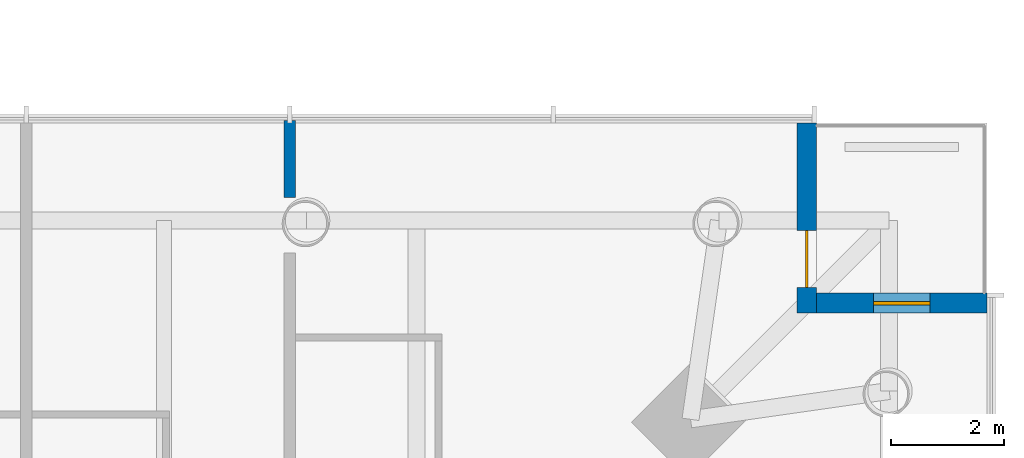
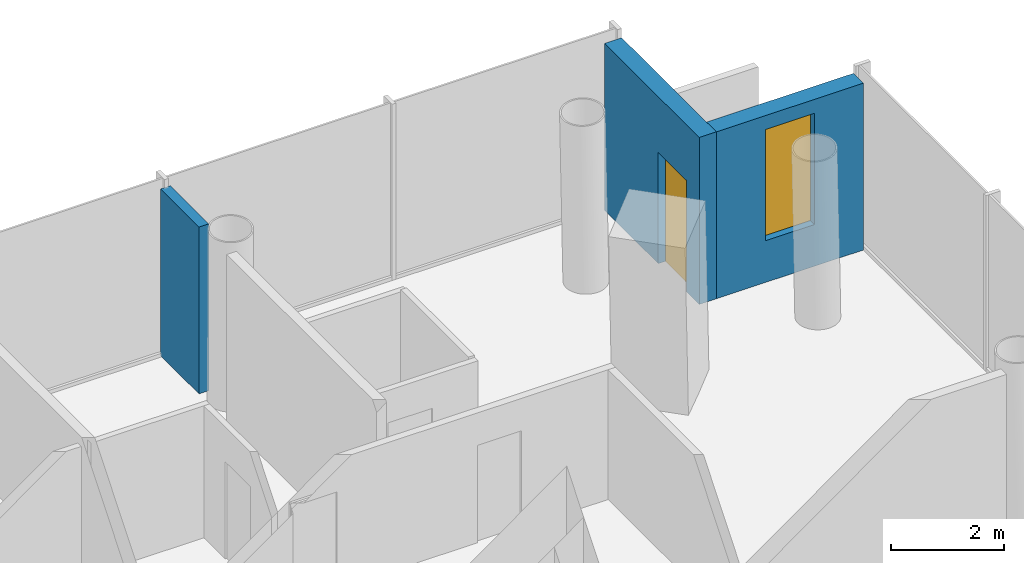
# One storey, part 15 of 18: 3 walls, 1 door, 1 window, 2 openings.
"""IFC4 building model written with IfcOpenShell, lengths in metres."""

from ifc_helpers import new_model, si_unit, direction, frame, frame_2d, origin, place, context, subcontext, project, spatial, rectangle, extrude, material, layer, layer_set, type_object, element, fill, save


model = new_model("IFC4")

# Units and contexts
model_context = context("Model", 3, precision=1e-05, world=origin(), true_north=direction((0.0, 1.0)))
body_context = subcontext(model_context, "Body", "Model", "MODEL_VIEW")
ifc_project = project(units=[si_unit("LENGTHUNIT", "METRE"), si_unit("AREAUNIT", "SQUARE_METRE"), si_unit("VOLUMEUNIT", "CUBIC_METRE"), si_unit("PLANEANGLEUNIT", "RADIAN"), si_unit("MASSUNIT", "GRAM", prefix="KILO")], contexts=[model_context])

# Site, building, storey
site_placement = place(None, origin())
site = spatial("IfcSite", under=ifc_project, at=site_placement, CompositionType="ELEMENT")
building_placement = place(site_placement, origin())
building = spatial("IfcBuilding", under=site, at=building_placement, Name="Ostroluk Exchange", CompositionType="ELEMENT")
storey_placement = place(building_placement, frame((0.0, 0.0, 55.199951171875)))
storey = spatial("IfcBuildingStorey", under=building, at=storey_placement, Name="L13", CompositionType="ELEMENT", Elevation=55.199951171875)

# Wall, opening, door
ifc_material_1 = material(Name="Limestone", Category="masonry")
ifc_layer_1 = layer(ifc_material_1, 0.35009765625)
ifc_layer_set_1 = layer_set([ifc_layer_1], Name="Limestone facade wall 350")
wall_type_1 = type_object("IfcWallType", Name="Limestone facade wall 350", PredefinedType="SOLIDWALL", material=ifc_layer_set_1)
wall_1_placement = place(storey_placement, frame((133.074951171875, 65.25, 0.0), z_axis=(0.0, 0.0, 1.0), x_axis=(0.0, -1.0, 0.0)))
wall_1 = element("IfcWall", 1, at=wall_1_placement, inside=storey, type_object=wall_type_1, Name="Hotel tower NE corner wall L13 a", PredefinedType="SOLIDWALL", context=body_context, shape_type="SweptSolid", body=[
    extrude(rectangle(XDim=3.35009765625, YDim=0.35009765625, at=frame_2d((1.675048828125, 0.0))), origin(), (0.0, 0.0, 1.0), 3.60009765625),
])
opening_1_placement = place(wall_1_placement, frame((1.89990234375, 0.0, 0.0)))
opening_1 = element("IfcOpeningElement", 2, at=opening_1_placement, cuts=wall_1, Name="Opening D-B1", PredefinedType="OPENING", context=body_context, shape_type="SweptSolid", body=[
    extrude(rectangle(XDim=1.0, YDim=2.39990234375, at=frame_2d((0.5, 1.199951171875))), frame((0.0, 0.18505859375, 0.0), z_axis=(0.0, -1.0, 0.0), x_axis=(1.0, 0.0, 0.0)), (0.0, 0.0, 1.0), 0.3701171875),
])
ifc_material_2 = material(Name="Bronze framed glazed door", Category="aluminium")
door_type = type_object("IfcDoorType", Name="Balcony door 1000 x 2400", OperationType="SINGLE_SWING_LEFT", PredefinedType="DOOR", material=ifc_material_2)
door_placement = place(opening_1_placement, origin())
door = element("IfcDoor", 3, at=door_placement, inside=storey, type_object=door_type, Name="Hotel tower NE balcony door L13", OperationType="SINGLE_SWING_RIGHT", OverallHeight=2.39990234375, OverallWidth=1.0, PredefinedType="DOOR", context=body_context, shape_type="SweptSolid", body=[
    extrude(rectangle(XDim=1.0, YDim=2.39990234375, at=frame_2d((0.5, 1.199951171875))), frame((0.0, 0.02490234375, 0.0), z_axis=(0.0, -1.0, 0.0), x_axis=(1.0, 0.0, 0.0)), (0.0, 0.0, 1.0), 0.050048828125),
])
fill(opening_1, door)

# Wall, opening, window
wall_2_placement = place(storey_placement, frame((133.25, 62.074951171875, 0.0), z_axis=(0.0, 0.0, 1.0), x_axis=(1.0, 0.0, 0.0)))
wall_2 = element("IfcWall", 4, at=wall_2_placement, inside=storey, type_object=wall_type_1, Name="Hotel tower NE corner wall L13 b", PredefinedType="SOLIDWALL", context=body_context, shape_type="SweptSolid", body=[
    extrude(rectangle(XDim=3.0, YDim=0.35009765625, at=frame_2d((1.5, 0.0))), origin(), (0.0, 0.0, 1.0), 3.60009765625),
])
opening_2_placement = place(wall_2_placement, frame((1.0, 0.0, 0.89990234375)))
opening_2 = element("IfcOpeningElement", 5, at=opening_2_placement, cuts=wall_2, Name="Opening WN-L3", PredefinedType="OPENING", context=body_context, shape_type="SweptSolid", body=[
    extrude(rectangle(XDim=1.0, YDim=2.39990234375, at=frame_2d((0.5, 1.199951171875))), frame((0.0, 0.18505859375, 0.0), z_axis=(0.0, -1.0, 0.0), x_axis=(1.0, 0.0, 0.0)), (0.0, 0.0, 1.0), 0.3701171875),
])
ifc_material_3 = material(Name="Laminated clear glass", Category="glass")
window_type = type_object("IfcWindowType", Name="Hotel lancet window 1000 x 2400", PartitioningType="SINGLE_PANEL", PredefinedType="WINDOW", material=ifc_material_3)
window_placement = place(opening_2_placement, origin())
window = element("IfcWindow", 6, at=window_placement, inside=storey, type_object=window_type, Name="Hotel tower NE lancet window L13", OverallHeight=2.39990234375, OverallWidth=1.0, PartitioningType="SINGLE_PANEL", PredefinedType="WINDOW", context=body_context, shape_type="SweptSolid", body=[
    extrude(rectangle(XDim=1.0, YDim=2.39990234375, at=frame_2d((0.5, 1.199951171875))), frame((0.0, 0.030029296875, 0.0), z_axis=(0.0, -1.0, 0.0), x_axis=(1.0, 0.0, 0.0)), (0.0, 0.0, 1.0), 0.06005859375),
])
fill(opening_2, window)

# Wall
ifc_material_4 = material(Name="Gypsum plasterboard partition", Category="gypsum")
ifc_layer_2 = layer(ifc_material_4, 0.199951171875)
ifc_layer_set_2 = layer_set([ifc_layer_2], Name="Plasterboard party wall 200")
wall_type_2 = type_object("IfcWallType", Name="Plasterboard party wall 200", PredefinedType="PARTITIONING", material=ifc_layer_set_2)
wall_3_placement = place(storey_placement, frame((123.96435546875, 63.932373046875, 0.0), z_axis=(0.0, 0.0, 1.0), x_axis=(0.0, 1.0, 0.0)))
element("IfcWall", 7, at=wall_3_placement, inside=storey, type_object=wall_type_2, Name="Party wall", PredefinedType="PARTITIONING", context=body_context, shape_type="SweptSolid", body=[
    extrude(rectangle(XDim=1.357666015625, YDim=0.199951171875, at=frame_2d((0.6787109375, 0.0))), origin(), (0.0, 0.0, 1.0), 3.60009765625),
])

save(model, "model.ifc")
